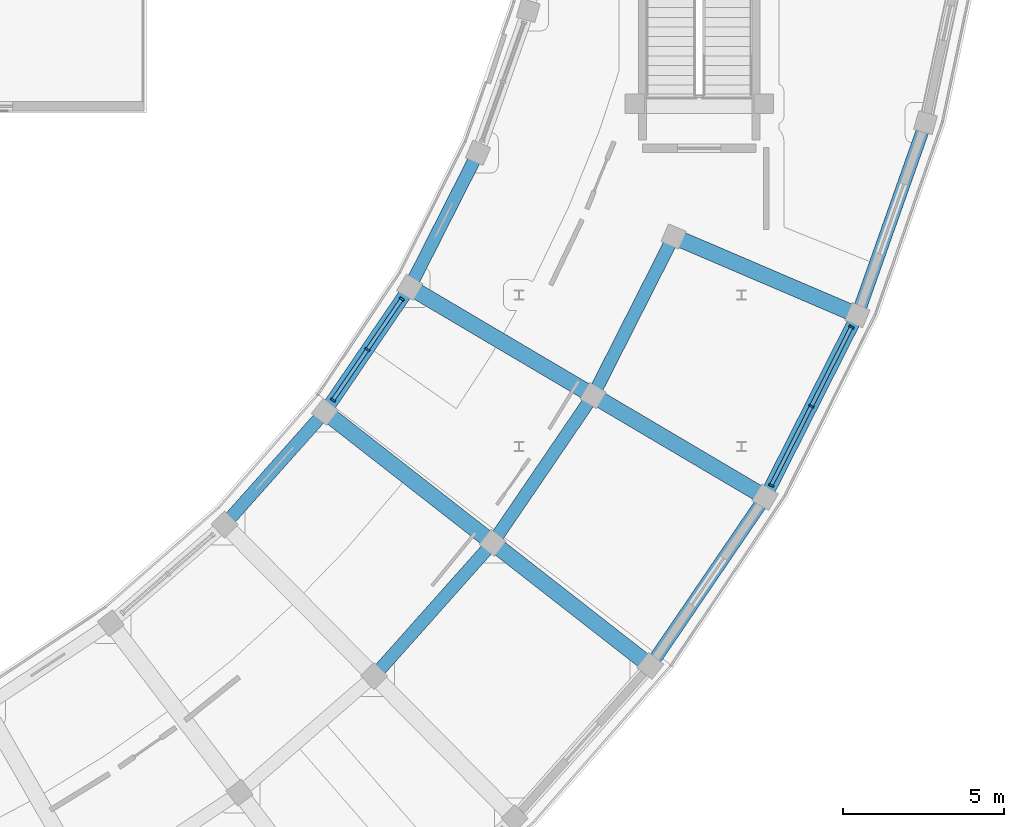
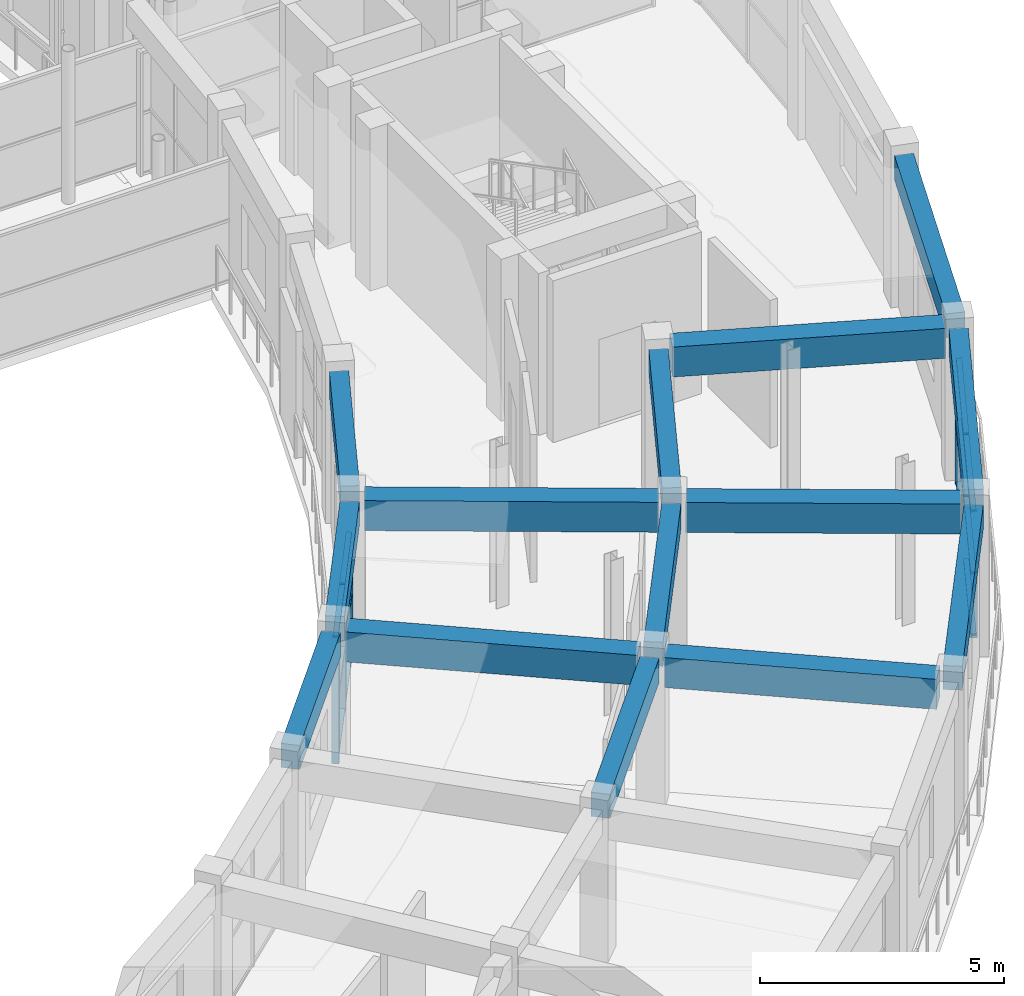
# One storey, part 24 of 70: 18 members, 14 beams, 2 elements without a shape of their own.
"""IFC4 building model written with IfcOpenShell, lengths in metres."""

import ifcopenshell
import ifcopenshell.guid

model = None  # the IFC model being written
_history = None  # IfcOwnerHistory: only IFC2X3 demands one
_inside = {}  # id of a spatial element -> (the spatial element, [elements in it])
_under = {}  # id of a project, library or spatial element -> (it, [spatial elements below it])
_declared = {}  # id of a project -> (the project, [libraries it declares])
_typed = {}  # id of a type object -> (the type object, [elements of that type])
_made_of = {}  # id of a material, layer set ... -> (it, [elements and type objects made of it])


def new_model(schema):
    """Start an empty IFC model of exactly this schema.

    Asked for "IFC4X3", IfcOpenShell would pick the latest addendum, in which some entities
    have other attributes; the version numbers below select the first issue.
    IFC2X3 requires an IfcOwnerHistory on every rooted entity: one is made here for all.
    """
    global model, _history
    if schema == "IFC4X3":
        model = ifcopenshell.file(schema_version=(4, 3, 0, 0))
    else:
        model = ifcopenshell.file(schema=schema)
    _inside.clear()
    _under.clear()
    _declared.clear()
    _typed.clear()
    _made_of.clear()
    _history = None
    if model.schema == "IFC2X3":
        org = make("IfcOrganization", Name="unknown")
        user = make(
            "IfcPersonAndOrganization",
            ThePerson=make("IfcPerson", FamilyName="unknown"),
            TheOrganization=org,
        )
        app = make(
            "IfcApplication",
            ApplicationDeveloper=org,
            Version="unknown",
            ApplicationFullName="unknown",
            ApplicationIdentifier="unknown",
        )
        _history = make(
            "IfcOwnerHistory",
            OwningUser=user,
            OwningApplication=app,
            ChangeAction="ADDED",
            CreationDate=0,
        )
    return model


def make(cls, **values):
    """One entity of the class cls with the attributes given. An attribute that is None is left unset."""
    return model.create_entity(
        cls, **{name: value for name, value in values.items() if value is not None}
    )


def rooted(cls, **values):
    """An entity with a GlobalId (a new one), such as an element, a storey or a relation."""
    return make(cls, GlobalId=ifcopenshell.guid.new(), OwnerHistory=_history, **values)


def si_unit(unit_type, name, prefix=None):
    """IfcSIUnit, for example si_unit("LENGTHUNIT", "METRE", prefix="MILLI")."""
    return make("IfcSIUnit", UnitType=unit_type, Prefix=prefix, Name=name)


def assignment(units):
    """IfcUnitAssignment: the units of a project."""
    return None if units is None else make("IfcUnitAssignment", Units=units)


def point(xyz):
    """IfcCartesianPoint."""
    return None if xyz is None else make("IfcCartesianPoint", Coordinates=xyz)


def direction(xyz):
    """IfcDirection."""
    return None if xyz is None else make("IfcDirection", DirectionRatios=xyz)


def frame(location, z_axis=None, x_axis=None):
    """IfcAxis2Placement3D, a coordinate frame: its origin and axes. An axis left out is left unset."""
    return make(
        "IfcAxis2Placement3D",
        Location=point(location),
        Axis=direction(z_axis),
        RefDirection=direction(x_axis),
    )


def frame_2d(location, x_axis=None):
    """IfcAxis2Placement2D, a coordinate frame in the plane: its origin and x axis."""
    return make(
        "IfcAxis2Placement2D", Location=point(location), RefDirection=direction(x_axis)
    )


def origin():
    """The frame at (0, 0, 0) with its axes left unset."""
    return frame((0.0, 0.0, 0.0))


def origin_2d():
    """The frame at (0, 0) in the plane with its x axis left unset."""
    return frame_2d((0.0, 0.0))


def place(relative_to, where):
    """IfcLocalPlacement: puts the frame where relative to a parent placement (None: the world)."""
    return make(
        "IfcLocalPlacement", PlacementRelTo=relative_to, RelativePlacement=where
    )


def context(
    kind, dimensions, precision=None, world=None, true_north=None, identifier=None
):
    """IfcGeometricRepresentationContext, for example the 3D "Model" context."""
    return make(
        "IfcGeometricRepresentationContext",
        ContextIdentifier=identifier,
        ContextType=kind,
        CoordinateSpaceDimension=dimensions,
        Precision=precision,
        WorldCoordinateSystem=world,
        TrueNorth=true_north,
    )


def subcontext(parent, identifier, kind, view, scale=None):
    """IfcGeometricRepresentationSubContext, for example "Body" below "Model"."""
    return make(
        "IfcGeometricRepresentationSubContext",
        ContextIdentifier=identifier,
        ContextType=kind,
        ParentContext=parent,
        TargetScale=scale,
        TargetView=view,
    )


def project(units=None, contexts=None):
    """IfcProject with its units and contexts."""
    return rooted(
        "IfcProject",
        Name="project",
        RepresentationContexts=contexts,
        UnitsInContext=assignment(units),
    )


def spatial(cls, under=None, at=None, **own):
    """A site, building, storey or space (cls), placed at a placement, below another one or the project."""
    s = rooted(cls, ObjectPlacement=at, **own)
    if under is not None:
        _under.setdefault(under.id(), (under, []))[1].append(s)
    return s


def profile(cls, at=None, kind="AREA", **sizes):
    """A parametric profile (cls). Its sizes go by their IFC names, for example OverallWidth=200.0."""
    return make(cls, ProfileType=kind, Position=at, **sizes)


def rectangle(**sizes):
    """IfcRectangleProfileDef."""
    return profile("IfcRectangleProfileDef", **sizes)


def extrude(swept, where, along, depth):
    """IfcExtrudedAreaSolid: the profile swept, set in the frame where, extruded along a direction by depth."""
    return make(
        "IfcExtrudedAreaSolid",
        SweptArea=swept,
        Position=where,
        ExtrudedDirection=direction(along),
        Depth=depth,
    )


def shape(context_of_items, identifier, shape_type, items):
    """IfcShapeRepresentation: the items that make up one representation, for example the "Body"."""
    return make(
        "IfcShapeRepresentation",
        ContextOfItems=context_of_items,
        RepresentationIdentifier=identifier,
        RepresentationType=shape_type,
        Items=items,
    )


def material(Name=None, Category=None):
    """IfcMaterial."""
    return make("IfcMaterial", Name=Name, Category=Category)


def material_profile(
    of_material, cross_section, Name=None, Category=None, Priority=None
):
    """IfcMaterialProfile: a cross section and its material."""
    return make(
        "IfcMaterialProfile",
        Name=Name,
        Material=of_material,
        Profile=cross_section,
        Priority=Priority,
        Category=Category,
    )


def profile_set(profiles, Name=None, composite=None):
    """IfcMaterialProfileSet."""
    return make(
        "IfcMaterialProfileSet",
        Name=Name,
        MaterialProfiles=profiles,
        CompositeProfile=composite,
    )


def made_of(thing, what):
    """Note that an element or type object is made of a material, layer set ...; save() writes the relation."""
    if what is not None:
        _made_of.setdefault(what.id(), (what, []))[1].append(thing)
    return thing


def type_object(cls, material=None, **own):
    """A type object (cls), such as IfcWallType, which elements share."""
    return made_of(rooted(cls, **own), material)


def element(
    cls,
    number,
    at=None,
    inside=None,
    cuts=None,
    type_object=None,
    material=None,
    context=None,
    identifier="Body",
    shape_type=None,
    held_by="IfcProductDefinitionShape",
    body=None,
    shapes=None,
    **own,
):
    """One element of the class cls, such as IfcWall. Its Tag is "e" and its number.

    at: its placement. inside: the storey or other place that contains it. cuts: it is an
    opening in that element (IfcRelVoidsElement). A single representation is given by context,
    identifier, shape_type and body (its items); several are given by shapes. held_by: the class
    of the entity that holds the representations. save() writes the other relations.
    """
    e = rooted(cls, Tag="e%d" % number, ObjectPlacement=at, **own)
    if body is not None:
        shapes = [shape(context, identifier, shape_type, body)]
    if shapes is not None:
        e.Representation = make(held_by, Representations=shapes)
    if inside is not None:
        _inside.setdefault(inside.id(), (inside, []))[1].append(e)
    if cuts is not None:
        rooted(
            "IfcRelVoidsElement", RelatingBuildingElement=cuts, RelatedOpeningElement=e
        )
    if type_object is not None:
        _typed.setdefault(type_object.id(), (type_object, []))[1].append(e)
    return made_of(e, material)


def aggregate(whole, parts):
    """IfcRelAggregates: a whole, such as a stair, and the parts it consists of."""
    return rooted("IfcRelAggregates", RelatingObject=whole, RelatedObjects=parts)


def save(model, path):
    """Write the relations noted so far, then the file.

    IfcRelAggregates (storeys below a building ...), IfcRelContainedInSpatialStructure (elements
    in a storey), IfcRelDefinesByType, IfcRelAssociatesMaterial and IfcRelDeclares: one each for
    every whole, place, type object, material and project.
    """
    for whole, parts in _under.values():
        aggregate(whole, parts)
    for where, things in _inside.values():
        rooted(
            "IfcRelContainedInSpatialStructure",
            RelatedElements=things,
            RelatingStructure=where,
        )
    for kind, things in _typed.values():
        rooted("IfcRelDefinesByType", RelatedObjects=things, RelatingType=kind)
    for what, things in _made_of.values():
        rooted("IfcRelAssociatesMaterial", RelatedObjects=things, RelatingMaterial=what)
    for by, libraries in _declared.values():
        rooted("IfcRelDeclares", RelatingContext=by, RelatedDefinitions=libraries)
    model.write(path)


model = new_model("IFC4")

# Units and contexts
model_context = context("Model", 3, precision=1e-05, world=origin(), true_north=direction((0.0, 1.0)))
body_context = subcontext(model_context, "Body", "Model", "MODEL_VIEW")
ifc_project = project(units=[si_unit("LENGTHUNIT", "METRE"), si_unit("AREAUNIT", "SQUARE_METRE"), si_unit("VOLUMEUNIT", "CUBIC_METRE"), si_unit("PLANEANGLEUNIT", "RADIAN"), si_unit("MASSUNIT", "GRAM", prefix="KILO")], contexts=[model_context])

# Site, building, storey
site_placement = place(None, origin())
site = spatial("IfcSite", under=ifc_project, at=site_placement, CompositionType="ELEMENT")
building_placement = place(site_placement, origin())
building = spatial("IfcBuilding", under=site, at=building_placement, Name="Saryqyr Civic Hall", CompositionType="ELEMENT")
storey_placement = place(building_placement, frame((0.0, 0.0, 13.199951171875)))
storey = spatial("IfcBuildingStorey", under=building, at=storey_placement, Name="L03", CompositionType="ELEMENT", Elevation=13.199951171875)

# Curtain wall, members
ifc_material_1 = material(Name="Anodised aluminium and triple low-E glass", Category="aluminium")
curtain_wall_type_1 = type_object("IfcCurtainWallType", Name="ENV-CW-STD-27", PredefinedType="NOTDEFINED", material=ifc_material_1)
curtain_wall_1_placement = place(storey_placement, origin())
curtain_wall_1 = element("IfcCurtainWall", 1, at=curtain_wall_1_placement, inside=storey, type_object=curtain_wall_type_1, Name="Curtain wall V5-CWI-L03-05", PredefinedType="NOTDEFINED")
ifc_material_2 = material(Name="Anodised aluminium", Category="aluminium")
ifc_material_profile_1 = material_profile(ifc_material_2, rectangle(XDim=0.06005859375, YDim=0.159912109375, at=origin_2d()), Name="ALU MULLION 60x160")
ifc_profile_set_1 = profile_set([ifc_material_profile_1], Name="Anodised aluminium")
member_type_1 = type_object("IfcMemberType", Name="ENV-CW-MUL-180", PredefinedType="MULLION", material=ifc_profile_set_1)
member_1_placement = place(storey_placement, frame((85.7841796875, 62.09033203125, 0.0), z_axis=(0.0, 0.0, 1.0), x_axis=(0.563129803105, 0.826368455869, 0.0)))
member_1 = element("IfcMember", 2, at=member_1_placement, type_object=member_type_1, Name="CW-27 mullion 1", PredefinedType="MULLION", context=body_context, shape_type="SweptSolid", body=[
    extrude(rectangle(XDim=0.06005859375, YDim=0.159912109375, at=origin_2d()), origin(), (0.0, 0.0, 1.0), 3.1650390625),
])
member_2_placement = place(storey_placement, frame((86.85205078125, 63.6572265625, 0.0), z_axis=(0.0, 0.0, 1.0), x_axis=(0.563129803105, 0.826368455869, 0.0)))
member_2 = element("IfcMember", 3, at=member_2_placement, type_object=member_type_1, Name="CW-27 mullion 2", PredefinedType="MULLION", context=body_context, shape_type="SweptSolid", body=[
    extrude(rectangle(XDim=0.06005859375, YDim=0.159912109375, at=origin_2d()), origin(), (0.0, 0.0, 1.0), 3.1650390625),
])
member_3_placement = place(storey_placement, frame((87.919921875, 65.22412109375, 0.0), z_axis=(0.0, 0.0, 1.0), x_axis=(0.563129803105, 0.826368455869, 0.0)))
member_3 = element("IfcMember", 4, at=member_3_placement, type_object=member_type_1, Name="CW-27 mullion 3", PredefinedType="MULLION", context=body_context, shape_type="SweptSolid", body=[
    extrude(rectangle(XDim=0.06005859375, YDim=0.159912109375, at=origin_2d()), origin(), (0.0, 0.0, 1.0), 3.1650390625),
])

curtain_wall_type_2 = type_object("IfcCurtainWallType", Name="ENV-CW-STD-40", PredefinedType="NOTDEFINED", material=ifc_material_1)
curtain_wall_2_placement = place(storey_placement, origin())
curtain_wall_2 = element("IfcCurtainWall", 5, at=curtain_wall_2_placement, inside=storey, type_object=curtain_wall_type_2, Name="Curtain wall V5-CWO-L03-06", PredefinedType="NOTDEFINED")
member_4_placement = place(storey_placement, frame((101.863525390625, 64.357666015625, 0.0), z_axis=(0.0, 0.0, 1.0), x_axis=(-0.451943063525, -0.892046785394, 0.0)))
member_4 = element("IfcMember", 6, at=member_4_placement, type_object=member_type_1, Name="CW-40 mullion 1", PredefinedType="MULLION", context=body_context, shape_type="SweptSolid", body=[
    extrude(rectangle(XDim=0.06005859375, YDim=0.159912109375, at=origin_2d()), origin(), (0.0, 0.0, 1.0), 3.1650390625),
])
member_5_placement = place(storey_placement, frame((100.619384765625, 61.90185546875, 0.0), z_axis=(0.0, 0.0, 1.0), x_axis=(-0.451943063525, -0.892046785394, 0.0)))
member_5 = element("IfcMember", 7, at=member_5_placement, type_object=member_type_1, Name="CW-40 mullion 2", PredefinedType="MULLION", context=body_context, shape_type="SweptSolid", body=[
    extrude(rectangle(XDim=0.06005859375, YDim=0.159912109375, at=origin_2d()), origin(), (0.0, 0.0, 1.0), 3.1650390625),
])
member_6_placement = place(storey_placement, frame((99.375244140625, 59.44580078125, 0.0), z_axis=(0.0, 0.0, 1.0), x_axis=(-0.451943063525, -0.892046785394, 0.0)))
member_6 = element("IfcMember", 8, at=member_6_placement, type_object=member_type_1, Name="CW-40 mullion 3", PredefinedType="MULLION", context=body_context, shape_type="SweptSolid", body=[
    extrude(rectangle(XDim=0.06005859375, YDim=0.159912109375, at=origin_2d()), origin(), (0.0, 0.0, 1.0), 3.1650390625),
])

# Member
ifc_material_profile_2 = material_profile(ifc_material_2, rectangle(XDim=0.1201171875, YDim=0.06005859375, at=origin_2d()), Name="ALU TRANSOM 120x60")
ifc_profile_set_2 = profile_set([ifc_material_profile_2], Name="Anodised aluminium")
member_type_2 = type_object("IfcMemberType", Name="ENV-CW-TRN-150", PredefinedType="USERDEFINED", material=ifc_profile_set_2)
member_7_placement = place(storey_placement, frame((85.80126953125, 62.114990234375, 0.030029296875), z_axis=(0.56304801064, 0.826424187518, 0.0), x_axis=(-0.826424187518, 0.56304801064, 0.0)))
member_7 = element("IfcMember", 9, at=member_7_placement, type_object=member_type_2, Name="CW-27 transom 1.1", ObjectType="TRANSOM", PredefinedType="USERDEFINED", context=body_context, shape_type="SweptSolid", body=[
    extrude(rectangle(XDim=0.1201171875, YDim=0.06005859375, at=origin_2d()), origin(), (0.0, 0.0, 1.0), 1.83642578125),
])

member_8_placement = place(storey_placement, frame((85.80126953125, 62.114990234375, 1.58203125), z_axis=(0.56304801064, 0.826424187518, 0.0), x_axis=(-0.826424187518, 0.56304801064, 0.0)))
member_8 = element("IfcMember", 10, at=member_8_placement, type_object=member_type_2, Name="CW-27 transom 1.2", ObjectType="TRANSOM", PredefinedType="USERDEFINED", context=body_context, shape_type="SweptSolid", body=[
    extrude(rectangle(XDim=0.1201171875, YDim=0.06005859375, at=origin_2d()), origin(), (0.0, 0.0, 1.0), 1.83642578125),
])

member_9_placement = place(storey_placement, frame((85.80126953125, 62.114990234375, 3.135009765625), z_axis=(0.56304801064, 0.826424187518, 0.0), x_axis=(-0.826424187518, 0.56304801064, 0.0)))
member_9 = element("IfcMember", 11, at=member_9_placement, type_object=member_type_2, Name="CW-27 transom 1.3", ObjectType="TRANSOM", PredefinedType="USERDEFINED", context=body_context, shape_type="SweptSolid", body=[
    extrude(rectangle(XDim=0.1201171875, YDim=0.06005859375, at=origin_2d()), origin(), (0.0, 0.0, 1.0), 1.83642578125),
])

member_10_placement = place(storey_placement, frame((86.868896484375, 63.68212890625, 0.030029296875), z_axis=(0.563200673278, 0.826320156852, 0.0), x_axis=(-0.826320156852, 0.563200673278, 0.0)))
member_10 = element("IfcMember", 12, at=member_10_placement, type_object=member_type_2, Name="CW-27 transom 2.1", ObjectType="TRANSOM", PredefinedType="USERDEFINED", context=body_context, shape_type="SweptSolid", body=[
    extrude(rectangle(XDim=0.1201171875, YDim=0.06005859375, at=origin_2d()), origin(), (0.0, 0.0, 1.0), 1.836181640625),
])

member_11_placement = place(storey_placement, frame((86.868896484375, 63.68212890625, 1.58203125), z_axis=(0.563200673278, 0.826320156852, 0.0), x_axis=(-0.826320156852, 0.563200673278, 0.0)))
member_11 = element("IfcMember", 13, at=member_11_placement, type_object=member_type_2, Name="CW-27 transom 2.2", ObjectType="TRANSOM", PredefinedType="USERDEFINED", context=body_context, shape_type="SweptSolid", body=[
    extrude(rectangle(XDim=0.1201171875, YDim=0.06005859375, at=origin_2d()), origin(), (0.0, 0.0, 1.0), 1.836181640625),
])

member_12_placement = place(storey_placement, frame((86.868896484375, 63.68212890625, 3.135009765625), z_axis=(0.563200673278, 0.826320156852, 0.0), x_axis=(-0.826320156852, 0.563200673278, 0.0)))
member_12 = element("IfcMember", 14, at=member_12_placement, type_object=member_type_2, Name="CW-27 transom 2.3", ObjectType="TRANSOM", PredefinedType="USERDEFINED", context=body_context, shape_type="SweptSolid", body=[
    extrude(rectangle(XDim=0.1201171875, YDim=0.06005859375, at=origin_2d()), origin(), (0.0, 0.0, 1.0), 1.836181640625),
])

aggregate(curtain_wall_1, [member_1, member_2, member_3, member_7, member_8, member_9, member_10, member_11, member_12])

member_13_placement = place(storey_placement, frame((101.85009765625, 64.330810546875, 0.030029296875), z_axis=(-0.451921510026, -0.892057704846, 0.0), x_axis=(0.892057704846, -0.451921510026, 0.0)))
member_13 = element("IfcMember", 15, at=member_13_placement, type_object=member_type_2, Name="CW-40 transom 1.1", ObjectType="TRANSOM", PredefinedType="USERDEFINED", context=body_context, shape_type="SweptSolid", body=[
    extrude(rectangle(XDim=0.1201171875, YDim=0.06005859375, at=origin_2d()), origin(), (0.0, 0.0, 1.0), 2.693115234375),
])

member_14_placement = place(storey_placement, frame((101.85009765625, 64.330810546875, 1.58203125), z_axis=(-0.451921510026, -0.892057704846, 0.0), x_axis=(0.892057704846, -0.451921510026, 0.0)))
member_14 = element("IfcMember", 16, at=member_14_placement, type_object=member_type_2, Name="CW-40 transom 1.2", ObjectType="TRANSOM", PredefinedType="USERDEFINED", context=body_context, shape_type="SweptSolid", body=[
    extrude(rectangle(XDim=0.1201171875, YDim=0.06005859375, at=origin_2d()), origin(), (0.0, 0.0, 1.0), 2.693115234375),
])

member_15_placement = place(storey_placement, frame((101.85009765625, 64.330810546875, 3.135009765625), z_axis=(-0.451921510026, -0.892057704846, 0.0), x_axis=(0.892057704846, -0.451921510026, 0.0)))
member_15 = element("IfcMember", 17, at=member_15_placement, type_object=member_type_2, Name="CW-40 transom 1.3", ObjectType="TRANSOM", PredefinedType="USERDEFINED", context=body_context, shape_type="SweptSolid", body=[
    extrude(rectangle(XDim=0.1201171875, YDim=0.06005859375, at=origin_2d()), origin(), (0.0, 0.0, 1.0), 2.693115234375),
])

member_16_placement = place(storey_placement, frame((100.60595703125, 61.875, 0.030029296875), z_axis=(-0.451993646857, -0.892021156252, 0.0), x_axis=(0.892021156252, -0.451993646857, 0.0)))
member_16 = element("IfcMember", 18, at=member_16_placement, type_object=member_type_2, Name="CW-40 transom 2.1", ObjectType="TRANSOM", PredefinedType="USERDEFINED", context=body_context, shape_type="SweptSolid", body=[
    extrude(rectangle(XDim=0.1201171875, YDim=0.06005859375, at=origin_2d()), origin(), (0.0, 0.0, 1.0), 2.693115234375),
])

member_17_placement = place(storey_placement, frame((100.60595703125, 61.875, 1.58203125), z_axis=(-0.451993646857, -0.892021156252, 0.0), x_axis=(0.892021156252, -0.451993646857, 0.0)))
member_17 = element("IfcMember", 19, at=member_17_placement, type_object=member_type_2, Name="CW-40 transom 2.2", ObjectType="TRANSOM", PredefinedType="USERDEFINED", context=body_context, shape_type="SweptSolid", body=[
    extrude(rectangle(XDim=0.1201171875, YDim=0.06005859375, at=origin_2d()), origin(), (0.0, 0.0, 1.0), 2.693115234375),
])

member_18_placement = place(storey_placement, frame((100.60595703125, 61.875, 3.135009765625), z_axis=(-0.451993646857, -0.892021156252, 0.0), x_axis=(0.892021156252, -0.451993646857, 0.0)))
member_18 = element("IfcMember", 20, at=member_18_placement, type_object=member_type_2, Name="CW-40 transom 2.3", ObjectType="TRANSOM", PredefinedType="USERDEFINED", context=body_context, shape_type="SweptSolid", body=[
    extrude(rectangle(XDim=0.1201171875, YDim=0.06005859375, at=origin_2d()), origin(), (0.0, 0.0, 1.0), 2.693115234375),
])

aggregate(curtain_wall_2, [member_4, member_5, member_6, member_13, member_14, member_15, member_16, member_17, member_18])

# Beams
ifc_material_3 = material(Name="Concrete C35/45", Category="concrete")
ifc_material_profile_3 = material_profile(ifc_material_3, rectangle(XDim=0.39990234375, YDim=0.60009765625, at=origin_2d()), Name="RC 400x600")
ifc_profile_set_3 = profile_set([ifc_material_profile_3], Name="Concrete C35/45")
beam_type_1 = type_object("IfcBeamType", Name="STR-BM-RC400x600", PredefinedType="BEAM", material=ifc_profile_set_3)
for number, where, z_axis, x_axis, name in (
    (21, (87.24560546875, 53.7412109375, 3.489990234375), (0.664939021665, 0.746897648589, 0.0), (-0.746897648589, 0.664939021665, 0.0), "Beam V5-CBM-MID04-L03"),
    (22, (90.893310546875, 57.8916015625, 3.489990234375), (0.563126776121, 0.826370518603, 0.0), (-0.826370518603, 0.563126776121, 0.0), "Beam V5-CBM-MID05-L03"),
):
    element("IfcBeam", number, at=place(storey_placement, frame(where, z_axis=z_axis, x_axis=x_axis)), inside=storey, type_object=beam_type_1, Name=name, PredefinedType="BEAM", context=body_context, shape_type="SweptSolid", body=[
        extrude(rectangle(XDim=0.39990234375, YDim=0.60009765625, at=origin_2d()), origin(), (0.0, 0.0, 1.0), 4.9775390625),
    ])
beam_1_placement = place(storey_placement, frame((93.9755859375, 62.4775390625, 3.489990234375), z_axis=(0.451915877682, 0.892060558202, 0.0), x_axis=(-0.892060558202, 0.451915877682, 0.0)))
element("IfcBeam", 23, at=beam_1_placement, inside=storey, type_object=beam_type_1, Name="Beam V5-CBM-MID06-L03", PredefinedType="BEAM", context=body_context, shape_type="SweptSolid", body=[
    extrude(rectangle(XDim=0.39990234375, YDim=0.60009765625, at=origin_2d()), origin(), (0.0, 0.0, 1.0), 4.977783203125),
])
ifc_material_profile_4 = material_profile(ifc_material_3, rectangle(XDim=0.39990234375, YDim=0.60009765625, at=origin_2d()), Name="RC 400x600")
ifc_profile_set_4 = profile_set([ifc_material_profile_4], Name="Concrete C35/45")
beam_type_2 = type_object("IfcBeamType", Name="STR-BM-RC400x600-EXT", PredefinedType="BEAM", material=ifc_profile_set_4)
beam_2_placement = place(storey_placement, frame((82.60986328125, 58.43896484375, 3.489990234375), z_axis=(0.664933037621, 0.746902975948, 0.0), x_axis=(-0.746902975948, 0.664933037621, 0.0)))
element("IfcBeam", 24, at=beam_2_placement, inside=storey, type_object=beam_type_2, Name="Beam V5-CBM-IN04-L03", PredefinedType="BEAM", context=body_context, shape_type="SweptSolid", body=[
    extrude(rectangle(XDim=0.39990234375, YDim=0.60009765625, at=origin_2d()), origin(), (0.0, 0.0, 1.0), 4.125),
])
beam_3_placement = place(storey_placement, frame((85.690673828125, 61.952880859375, 3.489990234375), z_axis=(0.56312561749, 0.826371308146, 0.0), x_axis=(-0.826371308146, 0.56312561749, 0.0)))
element("IfcBeam", 25, at=beam_3_placement, inside=storey, type_object=beam_type_2, Name="Beam V5-CBM-IN05-L03", PredefinedType="BEAM", context=body_context, shape_type="SweptSolid", body=[
    extrude(rectangle(XDim=0.39990234375, YDim=0.60009765625, at=origin_2d()), origin(), (0.0, 0.0, 1.0), 4.125244140625),
])
beam_4_placement = place(storey_placement, frame((95.780517578125, 54.07666015625, 3.489990234375), z_axis=(0.563115242299, 0.82637837816, 0.0), x_axis=(-0.82637837816, 0.563115242299, 0.0)))
element("IfcBeam", 26, at=beam_4_placement, inside=storey, type_object=beam_type_2, Name="Beam V5-CBM-OUT05-L03", PredefinedType="BEAM", context=body_context, shape_type="SweptSolid", body=[
    extrude(rectangle(XDim=0.39990234375, YDim=0.60009765625, at=origin_2d()), origin(), (0.0, 0.0, 1.0), 5.7783203125),
])
beam_5_placement = place(storey_placement, frame((88.292724609375, 65.834228515625, 3.489990234375), z_axis=(0.45189446959, 0.89207140317, 0.0), x_axis=(-0.89207140317, 0.45189446959, 0.0)))
element("IfcBeam", 27, at=beam_5_placement, inside=storey, type_object=beam_type_2, Name="Beam V5-CBM-IN06-L03", PredefinedType="BEAM", context=body_context, shape_type="SweptSolid", body=[
    extrude(rectangle(XDim=0.39990234375, YDim=0.60009765625, at=origin_2d()), origin(), (0.0, 0.0, 1.0), 4.12548828125),
])
for number, where, z_axis, x_axis, name in (
    (28, (99.313720703125, 59.324462890625, 3.489990234375), (0.451922654691, 0.892057124952, 0.0), (-0.892057124952, 0.451922654691, 0.0), "Beam V5-CBM-OUT06-L03"),
    (29, (102.14111328125, 64.983642578125, 3.489990234375), (0.333186956354, 0.942860780877, 0.0), (-0.942860780877, 0.333186956354, 0.0), "Beam V5-CBM-OUT07-L03"),
):
    element("IfcBeam", number, at=place(storey_placement, frame(where, z_axis=z_axis, x_axis=x_axis)), inside=storey, type_object=beam_type_2, Name=name, PredefinedType="BEAM", context=body_context, shape_type="SweptSolid", body=[
        extrude(rectangle(XDim=0.39990234375, YDim=0.60009765625, at=origin_2d()), origin(), (0.0, 0.0, 1.0), 5.7783203125),
    ])
ifc_material_4 = material(Name="Concrete C40/50", Category="concrete")
ifc_material_profile_5 = material_profile(ifc_material_4, rectangle(XDim=0.5, YDim=0.75, at=origin_2d()), Name="RC 500x750")
ifc_profile_set_5 = profile_set([ifc_material_profile_5], Name="Concrete C40/50")
beam_type_3 = type_object("IfcBeamType", Name="STR-BM-RC500x750", PredefinedType="BEAM", material=ifc_profile_set_5)
beam_6_placement = place(storey_placement, frame((85.75244140625, 61.556396484375, 3.4150390625), z_axis=(0.788258017603, -0.615344860777, 0.0), x_axis=(0.615344860777, 0.788258017603, 0.0)))
element("IfcBeam", 30, at=beam_6_placement, inside=storey, type_object=beam_type_3, Name="Beam V5-RBM-A05-L03", PredefinedType="BEAM", context=body_context, shape_type="SweptSolid", body=[
    extrude(rectangle(XDim=0.5, YDim=0.75, at=origin_2d()), origin(), (0.0, 0.0, 1.0), 6.050048828125),
])
beam_7_placement = place(storey_placement, frame((90.955078125, 57.4951171875, 3.4150390625), z_axis=(0.788283067243, -0.615312770791, 0.0), x_axis=(0.615312770791, 0.788283067243, 0.0)))
element("IfcBeam", 31, at=beam_7_placement, inside=storey, type_object=beam_type_3, Name="Beam V5-RBM-B05-L03", PredefinedType="BEAM", context=body_context, shape_type="SweptSolid", body=[
    extrude(rectangle(XDim=0.5, YDim=0.75, at=origin_2d()), origin(), (0.0, 0.0, 1.0), 5.650146484375),
])
beam_8_placement = place(storey_placement, frame((88.4052734375, 65.44921875, 3.4150390625), z_axis=(0.861018900268, -0.508572957776, 0.0), x_axis=(0.508572957776, 0.861018900268, 0.0)))
element("IfcBeam", 32, at=beam_8_placement, inside=storey, type_object=beam_type_3, Name="Beam V5-RBM-A06-L03", PredefinedType="BEAM", context=body_context, shape_type="SweptSolid", body=[
    extrude(rectangle(XDim=0.5, YDim=0.75, at=origin_2d()), origin(), (0.0, 0.0, 1.0), 6.050048828125),
])
beam_9_placement = place(storey_placement, frame((94.087890625, 62.09228515625, 3.4150390625), z_axis=(0.861029741325, -0.508554603315, 0.0), x_axis=(0.508554603315, 0.861029741325, 0.0)))
element("IfcBeam", 33, at=beam_9_placement, inside=storey, type_object=beam_type_3, Name="Beam V5-RBM-B06-L03", PredefinedType="BEAM", context=body_context, shape_type="SweptSolid", body=[
    extrude(rectangle(XDim=0.5, YDim=0.75, at=origin_2d()), origin(), (0.0, 0.0, 1.0), 5.64990234375),
])
beam_10_placement = place(storey_placement, frame((96.60205078125, 67.05517578125, 3.4150390625), z_axis=(0.919375077042, -0.393382088706, 0.0), x_axis=(0.393382088706, 0.919375077042, 0.0)))
element("IfcBeam", 34, at=beam_10_placement, inside=storey, type_object=beam_type_3, Name="Beam V5-RBM-B07-L03", PredefinedType="BEAM", context=body_context, shape_type="SweptSolid", body=[
    extrude(rectangle(XDim=0.5, YDim=0.75, at=origin_2d()), origin(), (0.0, 0.0, 1.0), 5.650146484375),
])

save(model, "model.ifc")
